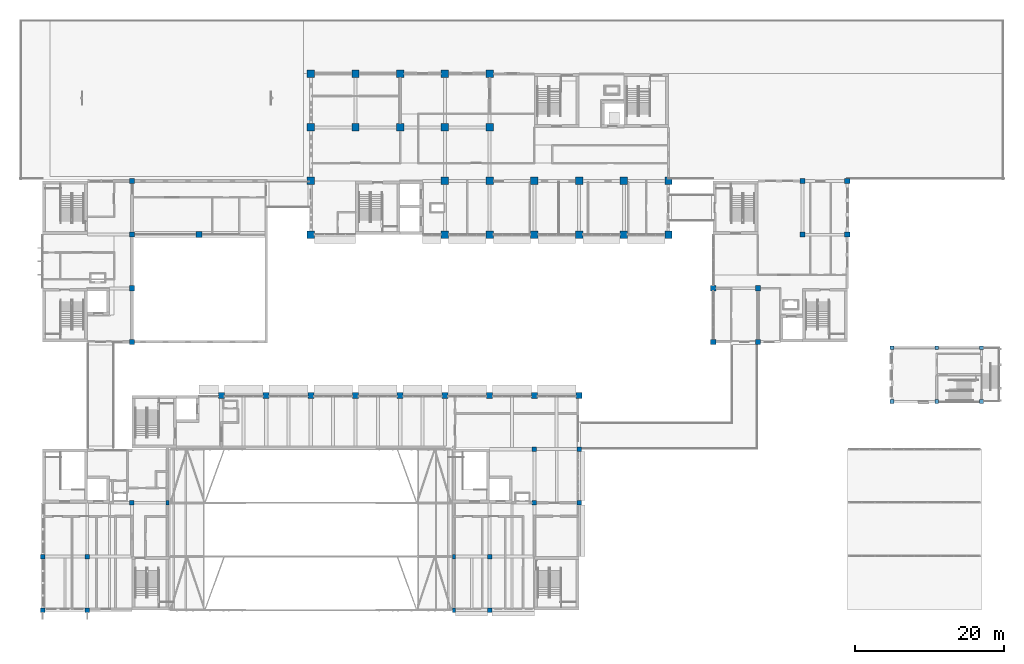
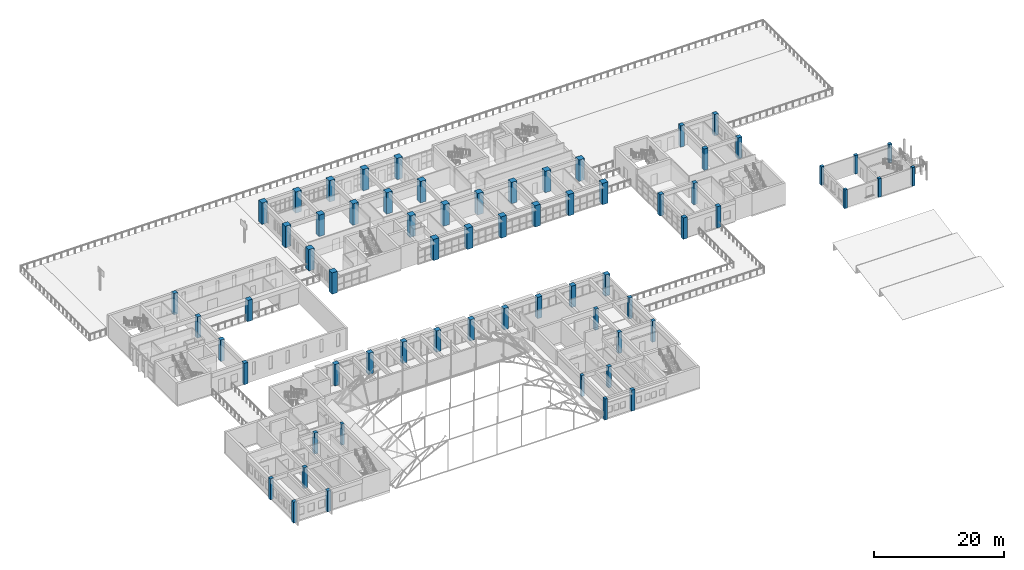
# One storey, part 1 of 101: 66 columns.
"""IFC4 building model written with IfcOpenShell, lengths in metres."""

from ifc_helpers import new_model, si_unit, direction, frame, origin, origin_2d, place, context, subcontext, project, spatial, rectangle, extrude, material, material_profile, profile_set, type_object, element, save


model = new_model("IFC4")

# Units and contexts
model_context = context("Model", 3, precision=1e-05, world=origin(), true_north=direction((0.0, 1.0)))
body_context = subcontext(model_context, "Body", "Model", "MODEL_VIEW")
ifc_project = project(units=[si_unit("LENGTHUNIT", "METRE"), si_unit("AREAUNIT", "SQUARE_METRE"), si_unit("VOLUMEUNIT", "CUBIC_METRE"), si_unit("PLANEANGLEUNIT", "RADIAN"), si_unit("MASSUNIT", "GRAM", prefix="KILO")], contexts=[model_context])

# Site, building, storey
site_placement = place(None, origin())
site = spatial("IfcSite", under=ifc_project, at=site_placement, CompositionType="ELEMENT")
building_placement = place(site_placement, origin())
building = spatial("IfcBuilding", under=site, at=building_placement, Name="Laocheng Heights Fire and Rescue Headquarters", CompositionType="ELEMENT")
storey_placement = place(building_placement, frame((0.0, 0.0, 8.39990234375)))
storey = spatial("IfcBuildingStorey", under=building, at=storey_placement, Name="L02", CompositionType="ELEMENT", Elevation=8.39990234375)

# Columns
ifc_material_1 = material(Name="Concrete C50", Category="concrete")
ifc_material_profile_1 = material_profile(ifc_material_1, rectangle(XDim=1.0, YDim=1.0, at=origin_2d()), Name="RC COLUMN 1000x1000 C50 HQ")
ifc_profile_set_1 = profile_set([ifc_material_profile_1], Name="Concrete C50")
column_type_1 = type_object("IfcColumnType", Name="RC COLUMN 1000x1000 C50 HQ", PredefinedType="COLUMN", material=ifc_profile_set_1)
for number, where, z_axis, x_axis, name in (
    (1, (36.0, 50.39990234375, 0.0), (0.0, 0.0, 1.0), (1.0, 0.0, 0.0), "HQ column L02 36/50.4"),
    (2, (54.0, 50.39990234375, 0.0), (0.0, 0.0, 1.0), (1.0, 0.0, 0.0), "HQ column L02 54/50.4"),
    (3, (60.0, 50.39990234375, 0.0), (0.0, 0.0, 1.0), (1.0, 0.0, 0.0), "HQ column L02 60/50.4"),
    (4, (66.0, 50.39990234375, 0.0), (0.0, 0.0, 1.0), (1.0, 0.0, 0.0), "HQ column L02 66/50.4"),
    (5, (72.0, 50.39990234375, 0.0), (0.0, 0.0, 1.0), (1.0, 0.0, 0.0), "HQ column L02 72/50.4"),
    (6, (78.0, 50.39990234375, 0.0), (0.0, 0.0, 1.0), (1.0, 0.0, 0.0), "HQ column L02 78/50.4"),
    (7, (84.0, 50.39990234375, 0.0), (0.0, 0.0, 1.0), (1.0, 0.0, 0.0), "HQ column L02 84/50.4"),
    (8, (36.0, 57.60009765625, 0.0), (0.0, 0.0, 1.0), (1.0, 0.0, 0.0), "HQ column L02 36/57.6"),
    (9, (54.0, 57.60009765625, 0.0), (0.0, 0.0, 1.0), (1.0, 0.0, 0.0), "HQ column L02 54/57.6"),
    (10, (60.0, 57.60009765625, 0.0), (0.0, 0.0, 1.0), (1.0, 0.0, 0.0), "HQ column L02 60/57.6"),
    (11, (66.0, 57.60009765625, 0.0), (0.0, 0.0, 1.0), (1.0, 0.0, 0.0), "HQ column L02 66/57.6"),
    (12, (72.0, 57.60009765625, 0.0), (0.0, 0.0, 1.0), (1.0, 0.0, 0.0), "HQ column L02 72/57.6"),
    (13, (78.0, 57.60009765625, 0.0), (0.0, 0.0, 1.0), (1.0, 0.0, 0.0), "HQ column L02 78/57.6"),
    (14, (84.0, 57.60009765625, 0.0), (0.0, 0.0, 1.0), (1.0, 0.0, 0.0), "HQ column L02 84/57.6"),
    (15, (36.0, 64.800048828125, 0.0), (0.0, 0.0, 1.0), (1.0, 0.0, 0.0), "HQ column L02 36/64.8"),
    (16, (42.0, 64.800048828125, 0.0), (0.0, 0.0, 1.0), (1.0, 0.0, 0.0), "HQ column L02 42/64.8"),
    (17, (48.0, 64.800048828125, 0.0), (0.0, 0.0, 1.0), (1.0, 0.0, 0.0), "HQ column L02 48/64.8"),
    (18, (54.0, 64.800048828125, 0.0), (0.0, 0.0, 1.0), (1.0, 0.0, 0.0), "HQ column L02 54/64.8"),
    (19, (60.0, 64.800048828125, 0.0), (0.0, 0.0, 1.0), (1.0, 0.0, 0.0), "HQ column L02 60/64.8"),
    (20, (36.0, 72.0, 0.0), (0.0, 0.0, 1.0), (1.0, 0.0, 0.0), "HQ column L02 36/72"),
    (21, (42.0, 72.0, 0.0), (0.0, 0.0, 1.0), (1.0, 0.0, 0.0), "HQ column L02 42/72"),
    (22, (48.0, 72.0, 0.0), (0.0, 0.0, 1.0), (1.0, 0.0, 0.0), "HQ column L02 48/72"),
    (23, (54.0, 72.0, 0.0), (0.0, 0.0, 1.0), (1.0, 0.0, 0.0), "HQ column L02 54/72"),
    (24, (60.0, 72.0, 0.0), (0.0, 0.0, 1.0), (1.0, 0.0, 0.0), "HQ column L02 60/72"),
):
    element("IfcColumn", number, at=place(storey_placement, frame(where, z_axis=z_axis, x_axis=x_axis)), inside=storey, type_object=column_type_1, Name=name, PredefinedType="COLUMN", context=body_context, shape_type="SweptSolid", body=[
        extrude(rectangle(XDim=1.0, YDim=1.0, at=origin_2d()), origin(), (0.0, 0.0, 1.0), 4.0),
    ])
ifc_material_2 = material(Name="Concrete C40", Category="concrete")
ifc_material_profile_2 = material_profile(ifc_material_2, rectangle(XDim=0.449951171875, YDim=0.60009765625, at=origin_2d()), Name="RC COLUMN 450x600 PAVILION")
ifc_profile_set_2 = profile_set([ifc_material_profile_2], Name="Concrete C40")
column_type_2 = type_object("IfcColumnType", Name="RC COLUMN 450x600 PAVILION", PredefinedType="COLUMN", material=ifc_profile_set_2)
for number, where, z_axis, x_axis, name in (
    (25, (55.22509765625, 0.0, 0.0), (0.0, 0.0, 1.0), (1.0, 0.0, 0.0), "Pavilion column"),
    (26, (55.22509765625, 7.199951171875, 0.0), (0.0, 0.0, 1.0), (1.0, 0.0, 0.0), "Pavilion column"),
    (27, (16.77490234375, 14.39990234375, 0.0), (0.0, 0.0, 1.0), (1.0, 0.0, 0.0), "Pavilion column"),
):
    element("IfcColumn", number, at=place(storey_placement, frame(where, z_axis=z_axis, x_axis=x_axis)), inside=storey, type_object=column_type_2, Name=name, PredefinedType="COLUMN", context=body_context, shape_type="SweptSolid", body=[
        extrude(rectangle(XDim=0.449951171875, YDim=0.60009765625, at=origin_2d()), origin(), (0.0, 0.0, 1.0), 3.9501953125),
    ])
ifc_material_3 = material(Name="Concrete C40", Category="concrete")
ifc_material_profile_3 = material_profile(ifc_material_3, rectangle(XDim=0.5, YDim=0.5, at=origin_2d()), Name="RC COLUMN 500x500 C40 DRILL TOWER")
ifc_profile_set_3 = profile_set([ifc_material_profile_3], Name="Concrete C40")
column_type_3 = type_object("IfcColumnType", Name="RC COLUMN 500x500 C40 DRILL TOWER", PredefinedType="COLUMN", material=ifc_profile_set_3)
for number, where, z_axis, x_axis, name in (
    (28, (114.0, 28.0, 2.10009765625), (0.0, 0.0, 1.0), (1.0, 0.0, 0.0), "Drill tower column F4 114/28"),
    (29, (120.0, 28.0, 2.10009765625), (0.0, 0.0, 1.0), (1.0, 0.0, 0.0), "Drill tower column F4 120/28"),
    (30, (126.0, 28.0, 2.10009765625), (0.0, 0.0, 1.0), (1.0, 0.0, 0.0), "Drill tower column F4 126/28"),
    (31, (114.0, 35.199951171875, 2.10009765625), (0.0, 0.0, 1.0), (1.0, 0.0, 0.0), "Drill tower column F4 114/35.2"),
    (32, (120.0, 35.199951171875, 2.10009765625), (0.0, 0.0, 1.0), (1.0, 0.0, 0.0), "Drill tower column F4 120/35.2"),
    (33, (126.0, 35.199951171875, 2.10009765625), (0.0, 0.0, 1.0), (1.0, 0.0, 0.0), "Drill tower column F4 126/35.2"),
):
    element("IfcColumn", number, at=place(storey_placement, frame(where, z_axis=z_axis, x_axis=x_axis)), inside=storey, type_object=column_type_3, Name=name, PredefinedType="COLUMN", context=body_context, shape_type="SweptSolid", body=[
        extrude(rectangle(XDim=0.5, YDim=0.5, at=origin_2d()), origin(), (0.0, 0.0, 1.0), 3.5),
    ])
ifc_material_4 = material(Name="Concrete C40", Category="concrete")
ifc_material_profile_4 = material_profile(ifc_material_4, rectangle(XDim=0.60009765625, YDim=0.60009765625, at=origin_2d()), Name="RC COLUMN 600x600 PAVILION")
ifc_profile_set_4 = profile_set([ifc_material_profile_4], Name="Concrete C40")
column_type_4 = type_object("IfcColumnType", Name="RC COLUMN 600x600 PAVILION", PredefinedType="COLUMN", material=ifc_profile_set_4)
for number, where, z_axis, x_axis, name in (
    (34, (60.0, 0.0, 0.0), (0.0, 0.0, 1.0), (1.0, 0.0, 0.0), "Pavilion column"),
    (35, (60.0, 7.199951171875, 0.0), (0.0, 0.0, 1.0), (1.0, 0.0, 0.0), "Pavilion column"),
    (36, (66.0, 14.39990234375, 0.0), (0.0, 0.0, 1.0), (1.0, 0.0, 0.0), "Pavilion column"),
    (37, (72.0, 14.39990234375, 0.0), (0.0, 0.0, 1.0), (1.0, 0.0, 0.0), "Pavilion column"),
    (38, (66.0, 21.60009765625, 0.0), (0.0, 0.0, 1.0), (1.0, 0.0, 0.0), "Pavilion column"),
    (39, (72.0, 21.60009765625, 0.0), (0.0, 0.0, 1.0), (1.0, 0.0, 0.0), "Pavilion column"),
    (40, (0.0, 0.0, 0.0), (0.0, 0.0, 1.0), (1.0, 0.0, 0.0), "Pavilion column"),
    (41, (6.0, 0.0, 0.0), (0.0, 0.0, 1.0), (1.0, 0.0, 0.0), "Pavilion column"),
    (42, (0.0, 7.199951171875, 0.0), (0.0, 0.0, 1.0), (1.0, 0.0, 0.0), "Pavilion column"),
    (43, (6.0, 7.199951171875, 0.0), (0.0, 0.0, 1.0), (1.0, 0.0, 0.0), "Pavilion column"),
    (44, (12.0, 14.39990234375, 0.0), (0.0, 0.0, 1.0), (1.0, 0.0, 0.0), "Pavilion column"),
):
    element("IfcColumn", number, at=place(storey_placement, frame(where, z_axis=z_axis, x_axis=x_axis)), inside=storey, type_object=column_type_4, Name=name, PredefinedType="COLUMN", context=body_context, shape_type="SweptSolid", body=[
        extrude(rectangle(XDim=0.60009765625, YDim=0.60009765625, at=origin_2d()), origin(), (0.0, 0.0, 1.0), 3.9501953125),
    ])
ifc_material_5 = material(Name="Concrete C50", Category="concrete")
ifc_material_profile_5 = material_profile(ifc_material_5, rectangle(XDim=0.699951171875, YDim=0.699951171875, at=origin_2d()), Name="RC COLUMN 700x700 C50 CREW")
ifc_profile_set_5 = profile_set([ifc_material_profile_5], Name="Concrete C50")
column_type_5 = type_object("IfcColumnType", Name="RC COLUMN 700x700 C50 CREW", PredefinedType="COLUMN", material=ifc_profile_set_5)
for number, where, z_axis, x_axis, name in (
    (45, (90.0, 36.0, 0.0), (0.0, 0.0, 1.0), (1.0, 0.0, 0.0), "Crew column L02 90/36"),
    (46, (96.0, 36.0, 0.0), (0.0, 0.0, 1.0), (1.0, 0.0, 0.0), "Crew column L02 96/36"),
    (47, (90.0, 43.199951171875, 0.0), (0.0, 0.0, 1.0), (1.0, 0.0, 0.0), "Crew column L02 90/43.2"),
    (48, (96.0, 43.199951171875, 0.0), (0.0, 0.0, 1.0), (1.0, 0.0, 0.0), "Crew column L02 96/43.2"),
    (49, (102.0, 50.39990234375, 0.0), (0.0, 0.0, 1.0), (1.0, 0.0, 0.0), "Crew column L02 102/50.4"),
    (50, (108.0, 50.39990234375, 0.0), (0.0, 0.0, 1.0), (1.0, 0.0, 0.0), "Crew column L02 108/50.4"),
    (51, (102.0, 57.60009765625, 0.0), (0.0, 0.0, 1.0), (1.0, 0.0, 0.0), "Crew column L02 102/57.6"),
    (52, (108.0, 57.60009765625, 0.0), (0.0, 0.0, 1.0), (1.0, 0.0, 0.0), "Crew column L02 108/57.6"),
):
    element("IfcColumn", number, at=place(storey_placement, frame(where, z_axis=z_axis, x_axis=x_axis)), inside=storey, type_object=column_type_5, Name=name, PredefinedType="COLUMN", context=body_context, shape_type="SweptSolid", body=[
        extrude(rectangle(XDim=0.699951171875, YDim=0.699951171875, at=origin_2d()), origin(), (0.0, 0.0, 1.0), 4.0),
    ])
ifc_material_6 = material(Name="Concrete C50", Category="concrete")
ifc_material_profile_6 = material_profile(ifc_material_6, rectangle(XDim=0.699951171875, YDim=0.699951171875, at=origin_2d()), Name="RC COLUMN 700x700 C50 FOYER")
ifc_profile_set_6 = profile_set([ifc_material_profile_6], Name="Concrete C50")
column_type_6 = type_object("IfcColumnType", Name="RC COLUMN 700x700 C50 FOYER", PredefinedType="COLUMN", material=ifc_profile_set_6)
for number, where, z_axis, x_axis, name in (
    (53, (12.0, 36.0, 0.0), (0.0, 0.0, 1.0), (1.0, 0.0, 0.0), "Foyer column L02 12/36"),
    (54, (12.0, 43.199951171875, 0.0), (0.0, 0.0, 1.0), (1.0, 0.0, 0.0), "Foyer column L02 12/43.2"),
    (55, (12.0, 50.39990234375, 0.0), (0.0, 0.0, 1.0), (1.0, 0.0, 0.0), "Foyer column L02 12/50.4"),
    (56, (12.0, 57.60009765625, 0.0), (0.0, 0.0, 1.0), (1.0, 0.0, 0.0), "Foyer column L02 12/57.6"),
):
    element("IfcColumn", number, at=place(storey_placement, frame(where, z_axis=z_axis, x_axis=x_axis)), inside=storey, type_object=column_type_6, Name=name, PredefinedType="COLUMN", context=body_context, shape_type="SweptSolid", body=[
        extrude(rectangle(XDim=0.699951171875, YDim=0.699951171875, at=origin_2d()), origin(), (0.0, 0.0, 1.0), 4.0),
    ])
ifc_material_7 = material(Name="Concrete C50", Category="concrete")
ifc_material_profile_7 = material_profile(ifc_material_7, rectangle(XDim=0.800048828125, YDim=0.800048828125, at=origin_2d()), Name="RC COLUMN 800x800 C50 THEATRE BALCONY")
ifc_profile_set_7 = profile_set([ifc_material_profile_7], Name="Concrete C50")
column_type_7 = type_object("IfcColumnType", Name="RC COLUMN 800x800 C50 THEATRE BALCONY", PredefinedType="COLUMN", material=ifc_profile_set_7)
column_placement = place(storey_placement, frame((21.0, 50.39990234375, 0.0), z_axis=(0.0, 0.0, 1.0), x_axis=(1.0, 0.0, 0.0)))
element("IfcColumn", 57, at=column_placement, inside=storey, type_object=column_type_7, Name="Theatre balcony column L02 21/50.4", PredefinedType="COLUMN", context=body_context, shape_type="SweptSolid", body=[
    extrude(rectangle(XDim=0.800048828125, YDim=0.800048828125, at=origin_2d()), origin(), (0.0, 0.0, 1.0), 4.0),
])
ifc_material_8 = material(Name="Concrete C50", Category="concrete")
ifc_material_profile_8 = material_profile(ifc_material_8, rectangle(XDim=0.800048828125, YDim=0.800048828125, at=origin_2d()), Name="RC COLUMN 800x800 GALLERY")
ifc_profile_set_8 = profile_set([ifc_material_profile_8], Name="Concrete C50")
column_type_8 = type_object("IfcColumnType", Name="RC COLUMN 800x800 GALLERY", PredefinedType="COLUMN", material=ifc_profile_set_8)
for number, where, z_axis, x_axis, name in (
    (58, (24.0, 28.800048828125, 0.0), (0.0, 0.0, 1.0), (1.0, 0.0, 0.0), "Gallery column"),
    (59, (30.0, 28.800048828125, 0.0), (0.0, 0.0, 1.0), (1.0, 0.0, 0.0), "Gallery column"),
    (60, (36.0, 28.800048828125, 0.0), (0.0, 0.0, 1.0), (1.0, 0.0, 0.0), "Gallery column"),
    (61, (42.0, 28.800048828125, 0.0), (0.0, 0.0, 1.0), (1.0, 0.0, 0.0), "Gallery column"),
    (62, (48.0, 28.800048828125, 0.0), (0.0, 0.0, 1.0), (1.0, 0.0, 0.0), "Gallery column"),
    (63, (54.0, 28.800048828125, 0.0), (0.0, 0.0, 1.0), (1.0, 0.0, 0.0), "Gallery column"),
    (64, (60.0, 28.800048828125, 0.0), (0.0, 0.0, 1.0), (1.0, 0.0, 0.0), "Gallery column"),
    (65, (66.0, 28.800048828125, 0.0), (0.0, 0.0, 1.0), (1.0, 0.0, 0.0), "Gallery column"),
    (66, (72.0, 28.800048828125, 0.0), (0.0, 0.0, 1.0), (1.0, 0.0, 0.0), "Gallery column"),
):
    element("IfcColumn", number, at=place(storey_placement, frame(where, z_axis=z_axis, x_axis=x_axis)), inside=storey, type_object=column_type_8, Name=name, PredefinedType="COLUMN", context=body_context, shape_type="SweptSolid", body=[
        extrude(rectangle(XDim=0.800048828125, YDim=0.800048828125, at=origin_2d()), origin(), (0.0, 0.0, 1.0), 4.0),
    ])

save(model, "model.ifc")
